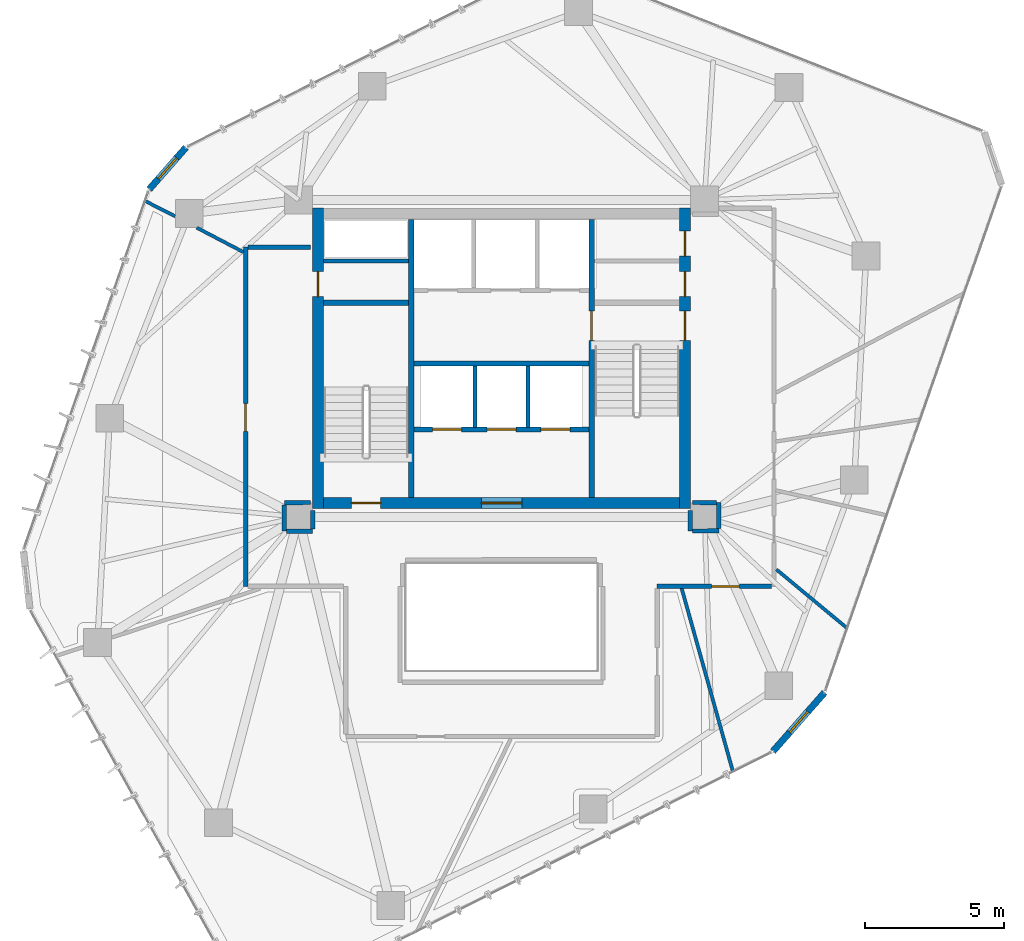
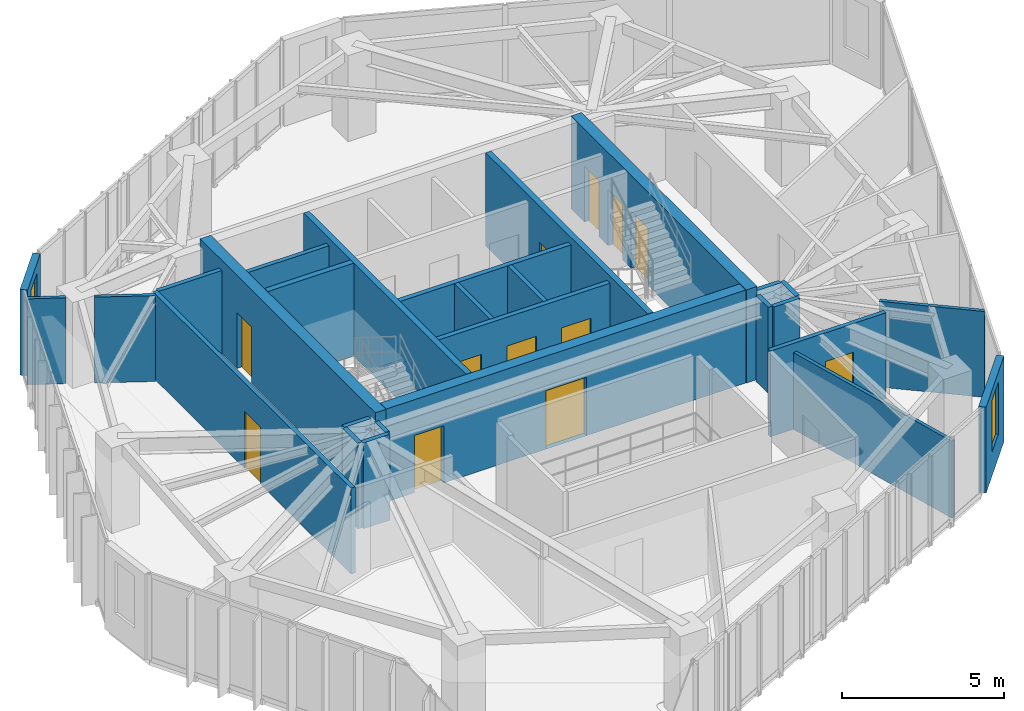
# One storey, part 16 of 20: 28 walls, 12 doors, 2 windows, 14 openings.
"""IFC4 building model written with IfcOpenShell, lengths in metres."""

from ifc_helpers import new_model, si_unit, direction, frame, frame_2d, origin, place, context, subcontext, project, spatial, rectangle, extrude, source, transform, mapped, material, layer, layer_set, type_object, type_shapes, element, fill, save


model = new_model("IFC4")

# Units and contexts
model_context = context("Model", 3, precision=1e-05, world=origin(), true_north=direction((0.0, 1.0)))
body_context = subcontext(model_context, "Body", "Model", "MODEL_VIEW")
ifc_project = project(units=[si_unit("LENGTHUNIT", "METRE"), si_unit("AREAUNIT", "SQUARE_METRE"), si_unit("VOLUMEUNIT", "CUBIC_METRE"), si_unit("PLANEANGLEUNIT", "RADIAN"), si_unit("MASSUNIT", "GRAM", prefix="KILO")], contexts=[model_context])

# Site, building, storey
site_placement = place(None, origin())
site = spatial("IfcSite", under=ifc_project, at=site_placement, CompositionType="ELEMENT")
building_placement = place(site_placement, origin())
building = spatial("IfcBuilding", under=site, at=building_placement, Name="Talar Marvaseh", CompositionType="ELEMENT")
storey_placement = place(building_placement, frame((0.0, 0.0, 170.5)))
storey = spatial("IfcBuildingStorey", under=building, at=storey_placement, Name="L44", CompositionType="ELEMENT", Elevation=170.5)

# Wall, opening, window
ifc_material_1 = material(Name="Precast concrete C45/55", Category="concrete")
ifc_layer_1 = layer(ifc_material_1, 0.239990234375)
ifc_layer_set_1 = layer_set([ifc_layer_1], Name="Precast concrete C45/55")
wall_type_1 = type_object("IfcWallType", Name="Chamfered Hexagonal Corner Pier Wall Z3 240", PredefinedType="SOLIDWALL", material=ifc_layer_set_1)
wall_1_placement = place(storey_placement, frame((13.328857421875, 37.2802734375, 0.0), z_axis=(0.0, 0.0, 1.0), x_axis=(0.659401563493, 0.751790913794, 0.0)))
wall_1 = element("IfcWall", 1, at=wall_1_placement, inside=storey, type_object=wall_type_1, Name="L44 Chamfered Corner Limestone Pier 3", PredefinedType="SOLIDWALL", context=body_context, shape_type="SweptSolid", body=[
    extrude(rectangle(XDim=2.0029296875, YDim=0.239990234375, at=frame_2d((1.00146484375, 0.0))), origin(), (0.0, 0.0, 1.0), 3.22998046875),
])
opening_1_placement = place(wall_1_placement, frame((0.501953125, 0.0, 0.89990234375)))
opening_1 = element("IfcOpeningElement", 2, at=opening_1_placement, cuts=wall_1, Name="Opening WN-CHM10", PredefinedType="OPENING", context=body_context, shape_type="SweptSolid", body=[
    extrude(rectangle(XDim=1.0, YDim=1.949951171875, at=frame_2d((0.5, 0.97509765625))), frame((0.0, 0.1298828125, 0.0), z_axis=(0.0, -1.0, 0.0), x_axis=(1.0, 0.0, 0.0)), (0.0, 0.0, 1.0), 0.260009765625),
])
ifc_material_2 = material(Name="Laminated Low-E Solar Glass", Category="glass")
window_type = type_object("IfcWindowType", Name="Zone 3 Chamfered Corner Slot Window 1000x1950", PartitioningType="SINGLE_PANEL", PredefinedType="WINDOW", material=ifc_material_2)
shared_shape_1 = source(origin(), body_context, "Body", "SweptSolid", [
    extrude(rectangle(XDim=1.0, YDim=1.949951171875, at=frame_2d((0.5, 0.97509765625))), frame((0.0, 0.030029296875, 0.0), z_axis=(0.0, -1.0, 0.0), x_axis=(1.0, 0.0, 0.0)), (0.0, 0.0, 1.0), 0.06005859375),
])
type_shapes(window_type, [shared_shape_1])
window_1_placement = place(opening_1_placement, origin())
window_1 = element("IfcWindow", 3, at=window_1_placement, inside=storey, type_object=window_type, Name="L44 Chamfered Corner Slot Window", OverallHeight=1.949951171875, OverallWidth=1.0, PartitioningType="SINGLE_PANEL", PredefinedType="WINDOW", context=body_context, shape_type="MappedRepresentation", body=[
    mapped(shared_shape_1, transform((0.0, 0.0, 0.0), x_axis=(1.0, 0.0, 0.0), y_axis=(0.0, 1.0, 0.0), z_axis=(0.0, 0.0, 1.0), scale=1.0)),
])
fill(opening_1, window_1)

wall_2_placement = place(storey_placement, frame((37.619384765625, 19.18212890625, 0.0), z_axis=(0.0, 0.0, 1.0), x_axis=(-0.659277871106, -0.751899387331, 0.0)))
wall_2 = element("IfcWall", 4, at=wall_2_placement, inside=storey, type_object=wall_type_1, Name="L44 Chamfered Corner Limestone Pier 6", PredefinedType="SOLIDWALL", context=body_context, shape_type="SweptSolid", body=[
    extrude(rectangle(XDim=2.815185546875, YDim=0.239990234375, at=frame_2d((1.40771484375, 0.0))), origin(), (0.0, 0.0, 1.0), 3.22998046875),
])
opening_2_placement = place(wall_2_placement, frame((0.907958984375, 0.0, 0.89990234375)))
opening_2 = element("IfcOpeningElement", 5, at=opening_2_placement, cuts=wall_2, Name="Opening WN-CHM10", PredefinedType="OPENING", context=body_context, shape_type="SweptSolid", body=[
    extrude(rectangle(XDim=1.0, YDim=1.949951171875, at=frame_2d((0.5, 0.97509765625))), frame((0.0, 0.1298828125, 0.0), z_axis=(0.0, -1.0, 0.0), x_axis=(1.0, 0.0, 0.0)), (0.0, 0.0, 1.0), 0.260009765625),
])
window_2_placement = place(opening_2_placement, origin())
window_2 = element("IfcWindow", 6, at=window_2_placement, inside=storey, type_object=window_type, Name="L44 Chamfered Corner Slot Window", OverallHeight=1.949951171875, OverallWidth=1.0, PartitioningType="SINGLE_PANEL", PredefinedType="WINDOW", context=body_context, shape_type="MappedRepresentation", body=[
    mapped(shared_shape_1, transform((0.0, 0.0, 0.0), x_axis=(1.0, 0.0, 0.0), y_axis=(0.0, 1.0, 0.0), z_axis=(0.0, 0.0, 1.0), scale=1.0)),
])
fill(opening_2, window_2)

# Wall
ifc_material_3 = material(Name="Gypsum Board Partition Assembly")
ifc_layer_2 = layer(ifc_material_3, 0.155029296875)
ifc_layer_set_2 = layer_set([ifc_layer_2], Name="Gypsum Board Partition Assembly")
wall_type_2 = type_object("IfcWallType", Name="Corridor Fire-Rated Acoustic Partition 155", PredefinedType="PARTITIONING", material=ifc_layer_set_2)
wall_3_placement = place(storey_placement, frame((19.60009765625, 34.699951171875, 0.0), z_axis=(0.0, 0.0, 1.0), x_axis=(1.0, 0.0, 0.0)))
element("IfcWall", 7, at=wall_3_placement, inside=storey, type_object=wall_type_2, Name="L44 Core BOH Partition", PredefinedType="PARTITIONING", context=body_context, shape_type="SweptSolid", body=[
    extrude(rectangle(XDim=3.059814453125, YDim=0.155029296875, at=frame_2d((1.52978515625, 0.0))), origin(), (0.0, 0.0, 1.0), 3.22998046875),
])

# Wall, opening, door
wall_4_placement = place(storey_placement, frame((16.800048828125, 23.0, 0.0), z_axis=(0.0, 0.0, 1.0), x_axis=(0.0, 1.0, 0.0)))
wall_4 = element("IfcWall", 8, at=wall_4_placement, inside=storey, type_object=wall_type_2, Name="L44 Interior Partition Wall", PredefinedType="PARTITIONING", context=body_context, shape_type="SweptSolid", body=[
    extrude(rectangle(XDim=12.199951171875, YDim=0.155029296875, at=frame_2d((6.10009765625, 0.0))), origin(), (0.0, 0.0, 1.0), 3.22998046875),
])
opening_3_placement = place(wall_4_placement, frame((5.5712890625, 0.0, 0.0)))
opening_3 = element("IfcOpeningElement", 9, at=opening_3_placement, cuts=wall_4, Name="Opening DR-RM100", PredefinedType="OPENING", context=body_context, shape_type="SweptSolid", body=[
    extrude(rectangle(XDim=1.0, YDim=2.14990234375, at=frame_2d((0.5, 1.074951171875))), frame((0.0, 0.08740234375, 0.0), z_axis=(0.0, -1.0, 0.0), x_axis=(1.0, 0.0, 0.0)), (0.0, 0.0, 1.0), 0.175048828125),
])
ifc_material_4 = material(Name="Acoustic Engineered Oak Timber", Category="wood")
door_type_1 = type_object("IfcDoorType", Name="Corridor Fire-Rated Gallery Door 1000x2150", OperationType="NOTDEFINED", PredefinedType="DOOR", material=ifc_material_4)
shared_shape_2 = source(origin(), body_context, "Body", "SweptSolid", [
    extrude(rectangle(XDim=1.0, YDim=2.14990234375, at=frame_2d((0.5, 1.074951171875))), frame((0.0, 0.02490234375, 0.0), z_axis=(0.0, -1.0, 0.0), x_axis=(1.0, 0.0, 0.0)), (0.0, 0.0, 1.0), 0.050048828125),
])
type_shapes(door_type_1, [shared_shape_2])
door_1_placement = place(opening_3_placement, origin())
door_1 = element("IfcDoor", 10, at=door_1_placement, inside=storey, type_object=door_type_1, Name="L44 Archival Facsimile Boutique Door", OperationType="SINGLE_SWING_RIGHT", OverallHeight=2.14990234375, OverallWidth=1.0, PredefinedType="DOOR", context=body_context, shape_type="MappedRepresentation", body=[
    mapped(shared_shape_2, transform((0.0, 0.0, 0.0), x_axis=(1.0, 0.0, 0.0), y_axis=(0.0, 1.0, 0.0), z_axis=(0.0, 0.0, 1.0), scale=1.0)),
])
fill(opening_3, door_1)

wall_5_placement = place(storey_placement, frame((35.716552734375, 23.0, 0.0), z_axis=(0.0, 0.0, 1.0), x_axis=(-1.0, 0.0, 0.0)))
wall_5 = element("IfcWall", 11, at=wall_5_placement, inside=storey, type_object=wall_type_2, Name="L44 Interior Partition Wall", PredefinedType="PARTITIONING", context=body_context, shape_type="SweptSolid", body=[
    extrude(rectangle(XDim=4.116455078125, YDim=0.155029296875, at=frame_2d((2.05810546875, 0.0))), origin(), (0.0, 0.0, 1.0), 3.22998046875),
])
opening_4_placement = place(wall_5_placement, frame((1.157470703125, 0.0, 0.0)))
opening_4 = element("IfcOpeningElement", 12, at=opening_4_placement, cuts=wall_5, Name="Opening DR-RM100", PredefinedType="OPENING", context=body_context, shape_type="SweptSolid", body=[
    extrude(rectangle(XDim=1.0, YDim=2.14990234375, at=frame_2d((0.5, 1.074951171875))), frame((0.0, 0.08740234375, 0.0), z_axis=(0.0, -1.0, 0.0), x_axis=(1.0, 0.0, 0.0)), (0.0, 0.0, 1.0), 0.175048828125),
])
door_2_placement = place(opening_4_placement, origin())
door_2 = element("IfcDoor", 13, at=door_2_placement, inside=storey, type_object=door_type_1, Name="L44 Colloquium Boardroom Door", OperationType="SINGLE_SWING_LEFT", OverallHeight=2.14990234375, OverallWidth=1.0, PredefinedType="DOOR", context=body_context, shape_type="MappedRepresentation", body=[
    mapped(shared_shape_2, transform((0.0, 0.0, 0.0), x_axis=(1.0, 0.0, 0.0), y_axis=(0.0, 1.0, 0.0), z_axis=(0.0, 0.0, 1.0), scale=1.0)),
])
fill(opening_4, door_2)

# Walls
wall_6_placement = place(storey_placement, frame((16.883544921875, 35.199951171875, 0.0), z_axis=(0.0, 0.0, 1.0), x_axis=(1.0, 0.0, 0.0)))
element("IfcWall", 14, at=wall_6_placement, inside=storey, type_object=wall_type_2, Name="L44 Interior Partition Wall", PredefinedType="PARTITIONING", context=body_context, shape_type="SweptSolid", body=[
    extrude(rectangle(XDim=2.246337890625, YDim=0.155029296875, at=frame_2d((1.123046875, 0.0))), origin(), (0.0, 0.0, 1.0), 3.22998046875),
])
wall_7_placement = place(storey_placement, frame((19.1298828125, 26.0146484375, 0.0), z_axis=(0.0, 0.0, 1.0), x_axis=(-0.99999026157, -0.004413248818, 0.0)))
element("IfcWall", 15, at=wall_7_placement, inside=storey, type_object=wall_type_2, Name="L44 Interior Partition Wall", PredefinedType="PARTITIONING", context=body_context, shape_type="SweptSolid", body=[
    extrude(rectangle(XDim=0.9404296875, YDim=0.155029296875, at=frame_2d((0.47021484375, 0.0))), origin(), (0.0, 0.0, 1.0), 3.22998046875),
])
wall_8_placement = place(storey_placement, frame((18.189697265625, 25.927001953125, 0.0), z_axis=(0.0, 0.0, 1.0), x_axis=(0.002078997586, -0.999997838882, 0.0)))
element("IfcWall", 16, at=wall_8_placement, inside=storey, type_object=wall_type_2, Name="L44 Interior Partition Wall", PredefinedType="PARTITIONING", context=body_context, shape_type="SweptSolid", body=[
    extrude(rectangle(XDim=0.939453125, YDim=0.155029296875, at=frame_2d((0.4697265625, 0.0))), origin(), (0.0, 0.0, 1.0), 3.22998046875),
])
wall_9_placement = place(storey_placement, frame((18.275146484375, 24.987548828125, 0.0), z_axis=(0.0, 0.0, 1.0), x_axis=(0.999999692748, 0.0007839036, 0.0)))
element("IfcWall", 17, at=wall_9_placement, inside=storey, type_object=wall_type_2, Name="L44 Interior Partition Wall", PredefinedType="PARTITIONING", context=body_context, shape_type="SweptSolid", body=[
    extrude(rectangle(XDim=0.934326171875, YDim=0.155029296875, at=frame_2d((0.46728515625, 0.0))), origin(), (0.0, 0.0, 1.0), 3.22998046875),
])
wall_10_placement = place(storey_placement, frame((19.210205078125, 25.072021484375, 0.0), z_axis=(0.0, 0.0, 1.0), x_axis=(0.007420945932, 0.999972464402, 0.0)))
element("IfcWall", 18, at=wall_10_placement, inside=storey, type_object=wall_type_2, Name="L44 Interior Partition Wall", PredefinedType="PARTITIONING", context=body_context, shape_type="SweptSolid", body=[
    extrude(rectangle(XDim=0.657958984375, YDim=0.155029296875, at=frame_2d((0.3291015625, 0.0))), origin(), (0.0, 0.0, 1.0), 3.22998046875),
])
wall_11_placement = place(storey_placement, frame((32.784912109375, 25.72998046875, 0.0), z_axis=(0.0, 0.0, 1.0), x_axis=(0.007570553288, -0.999971342951, 0.0)))
element("IfcWall", 19, at=wall_11_placement, inside=storey, type_object=wall_type_2, Name="L44 Interior Partition Wall", PredefinedType="PARTITIONING", context=body_context, shape_type="SweptSolid", body=[
    extrude(rectangle(XDim=0.74169921875, YDim=0.155029296875, at=frame_2d((0.370849609375, 0.0))), origin(), (0.0, 0.0, 1.0), 3.22998046875),
])
wall_12_placement = place(storey_placement, frame((32.8740234375, 24.9892578125, 0.0), z_axis=(0.0, 0.0, 1.0), x_axis=(0.999934835738, 0.01141596595, 0.0)))
element("IfcWall", 20, at=wall_12_placement, inside=storey, type_object=wall_type_2, Name="L44 Interior Partition Wall", PredefinedType="PARTITIONING", context=body_context, shape_type="SweptSolid", body=[
    extrude(rectangle(XDim=0.94091796875, YDim=0.155029296875, at=frame_2d((0.470458984375, 0.0))), origin(), (0.0, 0.0, 1.0), 3.22998046875),
])
wall_13_placement = place(storey_placement, frame((33.814697265625, 25.08349609375, 0.0), z_axis=(0.0, 0.0, 1.0), x_axis=(-0.004477173984, 0.999989977406, 0.0)))
element("IfcWall", 21, at=wall_13_placement, inside=storey, type_object=wall_type_2, Name="L44 Interior Partition Wall", PredefinedType="PARTITIONING", context=body_context, shape_type="SweptSolid", body=[
    extrude(rectangle(XDim=0.927001953125, YDim=0.155029296875, at=frame_2d((0.46337890625, 0.0))), origin(), (0.0, 0.0, 1.0), 3.22998046875),
])
wall_14_placement = place(storey_placement, frame((33.72705078125, 26.010986328125, 0.0), z_axis=(0.0, 0.0, 1.0), x_axis=(-0.999990868706, 0.004273465251, 0.0)))
element("IfcWall", 22, at=wall_14_placement, inside=storey, type_object=wall_type_2, Name="L44 Interior Partition Wall", PredefinedType="PARTITIONING", context=body_context, shape_type="SweptSolid", body=[
    extrude(rectangle(XDim=0.85693359375, YDim=0.155029296875, at=frame_2d((0.428466796875, 0.0))), origin(), (0.0, 0.0, 1.0), 3.22998046875),
])
ifc_layer_3 = layer(ifc_material_3, 0.1201171875)
ifc_layer_set_3 = layer_set([ifc_layer_3], Name="Gypsum Board Partition Assembly")
wall_type_3 = type_object("IfcWallType", Name="Demountable Studio Room Partition 120", PredefinedType="PARTITIONING", material=ifc_layer_set_3)
wall_15_placement = place(storey_placement, frame((32.4775390625, 22.9375, 0.0), z_axis=(0.0, 0.0, 1.0), x_axis=(0.269411180915, -0.963025241413, 0.0)))
element("IfcWall", 23, at=wall_15_placement, inside=storey, type_object=wall_type_3, Name="L44 Interior Partition Wall", PredefinedType="PARTITIONING", context=body_context, shape_type="SweptSolid", body=[
    extrude(rectangle(XDim=6.8310546875, YDim=0.1201171875, at=frame_2d((3.41552734375, 0.0))), origin(), (0.0, 0.0, 1.0), 2.89208984375),
])
wall_16_placement = place(storey_placement, frame((35.883544921875, 23.610595703125, 0.0), z_axis=(0.0, 0.0, 1.0), x_axis=(0.769504226885, -0.638641718655, 0.0)))
element("IfcWall", 24, at=wall_16_placement, inside=storey, type_object=wall_type_3, Name="L44 Interior Partition Wall", PredefinedType="PARTITIONING", context=body_context, shape_type="SweptSolid", body=[
    extrude(rectangle(XDim=3.287353515625, YDim=0.1201171875, at=frame_2d((1.6435546875, 0.0))), origin(), (0.0, 0.0, 1.0), 3.22998046875),
])
wall_17_placement = place(storey_placement, frame((16.716552734375, 35.023681640625, 0.0), z_axis=(0.0, 0.0, 1.0), x_axis=(-0.886255547382, 0.463196615633, 0.0)))
element("IfcWall", 25, at=wall_17_placement, inside=storey, type_object=wall_type_3, Name="L44 Interior Partition Wall", PredefinedType="PARTITIONING", context=body_context, shape_type="SweptSolid", body=[
    extrude(rectangle(XDim=1.8916015625, YDim=0.1201171875, at=frame_2d((0.94580078125, 0.0))), origin(), (0.0, 0.0, 1.0), 3.22998046875),
])
wall_18_placement = place(storey_placement, frame((14.260009765625, 36.31005859375, 0.0), z_axis=(0.0, 0.0, 1.0), x_axis=(-0.890408796541, 0.455161702082, 0.0)))
element("IfcWall", 26, at=wall_18_placement, inside=storey, type_object=wall_type_3, Name="L44 Interior Partition Wall", PredefinedType="PARTITIONING", context=body_context, shape_type="SweptSolid", body=[
    extrude(rectangle(XDim=1.189208984375, YDim=0.1201171875, at=frame_2d((0.5947265625, 0.0))), origin(), (0.0, 0.0, 1.0), 3.22998046875),
])
ifc_layer_4 = layer(ifc_material_1, 0.14501953125)
ifc_layer_set_4 = layer_set([ifc_layer_4], Name="Precast concrete C45/55")
wall_type_4 = type_object("IfcWallType", Name="Fire-Rated Lift Divider Wall 145", PredefinedType="SOLIDWALL", material=ifc_layer_set_4)
for number, where, z_axis, x_axis, name in (
    (27, (25.050048828125, 28.719970703125, 0.0), (0.0, 0.0, 1.0), (0.0, 1.0, 0.0), "L44 PL-H1/PL-H2 Divider"),
    (28, (26.949951171875, 28.719970703125, 0.0), (0.0, 0.0, 1.0), (0.0, 1.0, 0.0), "L44 PL-H2/PL-H3 Divider"),
):
    element("IfcWall", number, at=place(storey_placement, frame(where, z_axis=z_axis, x_axis=x_axis)), inside=storey, type_object=wall_type_4, Name=name, PredefinedType="SOLIDWALL", context=body_context, shape_type="SweptSolid", body=[
        extrude(rectangle(XDim=2.20654296875, YDim=0.14501953125, at=frame_2d((1.103271484375, 0.0))), origin(), (0.0, 0.0, 1.0), 3.22998046875),
    ])
ifc_layer_5 = layer(ifc_material_1, 0.175048828125)
ifc_layer_set_5 = layer_set([ifc_layer_5], Name="Precast concrete C45/55")
wall_type_5 = type_object("IfcWallType", Name="Fire-Rated Lift Hoistway Enclosure Wall 175", PredefinedType="SOLIDWALL", material=ifc_layer_set_5)
wall_19_placement = place(storey_placement, frame((22.860107421875, 31.02001953125, 0.0), z_axis=(0.0, 0.0, 1.0), x_axis=(1.0, 0.0, 0.0)))
element("IfcWall", 29, at=wall_19_placement, inside=storey, type_object=wall_type_5, Name="L44 Firefighting Lobby South Smoke Wall", PredefinedType="SOLIDWALL", context=body_context, shape_type="SweptSolid", body=[
    extrude(rectangle(XDim=6.27978515625, YDim=0.175048828125, at=frame_2d((3.139892578125, 0.0))), origin(), (0.0, 0.0, 1.0), 3.22998046875),
])

# Wall, openings, doors
wall_20_placement = place(storey_placement, frame((22.860107421875, 28.639892578125, 0.0), z_axis=(0.0, 0.0, 1.0), x_axis=(1.0, 0.0, 0.0)))
wall_20 = element("IfcWall", 30, at=wall_20_placement, inside=storey, type_object=wall_type_5, Name="L44 High-Rise Lift Bank Front Wall", PredefinedType="SOLIDWALL", context=body_context, shape_type="SweptSolid", body=[
    extrude(rectangle(XDim=6.27978515625, YDim=0.175048828125, at=frame_2d((3.139892578125, 0.0))), origin(), (0.0, 0.0, 1.0), 3.22998046875),
])
opening_5_placement = place(wall_20_placement, frame((0.659912109375, 0.0, 0.0)))
opening_5 = element("IfcOpeningElement", 31, at=opening_5_placement, cuts=wall_20, Name="Opening LD-PLH1", PredefinedType="OPENING", context=body_context, shape_type="SweptSolid", body=[
    extrude(rectangle(XDim=1.050048828125, YDim=2.14990234375, at=frame_2d((0.52490234375, 1.074951171875))), frame((0.0, 0.09765625, 0.0), z_axis=(0.0, -1.0, 0.0), x_axis=(1.0, 0.0, 0.0)), (0.0, 0.0, 1.0), 0.195068359375),
])
opening_6_placement = place(wall_20_placement, frame((2.6201171875, 0.0, 0.0)))
opening_6 = element("IfcOpeningElement", 32, at=opening_6_placement, cuts=wall_20, Name="Opening LD-PLH2", PredefinedType="OPENING", context=body_context, shape_type="SweptSolid", body=[
    extrude(rectangle(XDim=1.050048828125, YDim=2.14990234375, at=frame_2d((0.52490234375, 1.074951171875))), frame((0.0, 0.09765625, 0.0), z_axis=(0.0, -1.0, 0.0), x_axis=(1.0, 0.0, 0.0)), (0.0, 0.0, 1.0), 0.195068359375),
])
opening_7_placement = place(wall_20_placement, frame((4.56005859375, 0.0, 0.0)))
opening_7 = element("IfcOpeningElement", 33, at=opening_7_placement, cuts=wall_20, Name="Opening LD-PLH3", PredefinedType="OPENING", context=body_context, shape_type="SweptSolid", body=[
    extrude(rectangle(XDim=1.050048828125, YDim=2.14990234375, at=frame_2d((0.52490234375, 1.074951171875))), frame((0.0, 0.09765625, 0.0), z_axis=(0.0, -1.0, 0.0), x_axis=(1.0, 0.0, 0.0)), (0.0, 0.0, 1.0), 0.195068359375),
])
ifc_material_5 = material(Name="Stainless Steel Grade 316", Category="steel")
door_type_2 = type_object("IfcDoorType", Name="Automatic Sliding Lift Landing Door 1050x2150", OperationType="NOTDEFINED", PredefinedType="DOOR", material=ifc_material_5)
shared_shape_3 = source(origin(), body_context, "Body", "SweptSolid", [
    extrude(rectangle(XDim=1.050048828125, YDim=2.14990234375, at=frame_2d((0.52490234375, 1.074951171875))), frame((0.0, 0.02490234375, 0.0), z_axis=(0.0, -1.0, 0.0), x_axis=(1.0, 0.0, 0.0)), (0.0, 0.0, 1.0), 0.050048828125),
])
type_shapes(door_type_2, [shared_shape_3])
door_3_placement = place(opening_5_placement, origin())
door_3 = element("IfcDoor", 34, at=door_3_placement, inside=storey, type_object=door_type_2, Name="L44 Lift PL-H1 Sliding Landing Door", OperationType="SLIDING_TO_LEFT", OverallHeight=2.14990234375, OverallWidth=1.050048828125, PredefinedType="DOOR", context=body_context, shape_type="MappedRepresentation", body=[
    mapped(shared_shape_3, transform((0.0, 0.0, 0.0), x_axis=(1.0, 0.0, 0.0), y_axis=(0.0, 1.0, 0.0), z_axis=(0.0, 0.0, 1.0), scale=1.0)),
])
fill(opening_5, door_3)
door_4_placement = place(opening_6_placement, origin())
door_4 = element("IfcDoor", 35, at=door_4_placement, inside=storey, type_object=door_type_2, Name="L44 Lift PL-H2 Sliding Landing Door", OperationType="SLIDING_TO_LEFT", OverallHeight=2.14990234375, OverallWidth=1.050048828125, PredefinedType="DOOR", context=body_context, shape_type="MappedRepresentation", body=[
    mapped(shared_shape_3, transform((0.0, 0.0, 0.0), x_axis=(1.0, 0.0, 0.0), y_axis=(0.0, 1.0, 0.0), z_axis=(0.0, 0.0, 1.0), scale=1.0)),
])
fill(opening_6, door_4)
door_5_placement = place(opening_7_placement, origin())
door_5 = element("IfcDoor", 36, at=door_5_placement, inside=storey, type_object=door_type_2, Name="L44 Lift PL-H3 Sliding Landing Door", OperationType="SLIDING_TO_LEFT", OverallHeight=2.14990234375, OverallWidth=1.050048828125, PredefinedType="DOOR", context=body_context, shape_type="MappedRepresentation", body=[
    mapped(shared_shape_3, transform((0.0, 0.0, 0.0), x_axis=(1.0, 0.0, 0.0), y_axis=(0.0, 1.0, 0.0), z_axis=(0.0, 0.0, 1.0), scale=1.0)),
])
fill(opening_7, door_5)

# Wall, opening, door
ifc_material_6 = material(Name="Concrete C60/75", Category="concrete")
ifc_layer_6 = layer(ifc_material_6, 0.3798828125)
ifc_layer_set_6 = layer_set([ifc_layer_6], Name="Concrete C60/75")
wall_type_6 = type_object("IfcWallType", Name="Mid Core Reinforced Concrete Shear Wall 380", PredefinedType="SHEAR", material=ifc_layer_set_6)
wall_21_placement = place(storey_placement, frame((19.39990234375, 25.800048828125, 0.0), z_axis=(0.0, 0.0, 1.0), x_axis=(0.0, 1.0, 0.0)))
wall_21 = element("IfcWall", 37, at=wall_21_placement, inside=storey, type_object=wall_type_6, Name="L44 West Core Shear Wall", PredefinedType="SHEAR", context=body_context, shape_type="SweptSolid", body=[
    extrude(rectangle(XDim=10.800048828125, YDim=0.3798828125, at=frame_2d((5.39990234375, 0.0))), origin(), (0.0, 0.0, 1.0), 3.5),
])
opening_8_placement = place(wall_21_placement, frame((7.6201171875, 0.0, 0.0)))
opening_8 = element("IfcOpeningElement", 38, at=opening_8_placement, cuts=wall_21, Name="Opening DR-BOH090", PredefinedType="OPENING", context=body_context, shape_type="SweptSolid", body=[
    extrude(rectangle(XDim=0.89990234375, YDim=2.10009765625, at=frame_2d((0.449951171875, 1.050048828125))), frame((0.0, 0.199951171875, 0.0), z_axis=(0.0, -1.0, 0.0), x_axis=(1.0, 0.0, 0.0)), (0.0, 0.0, 1.0), 0.39990234375),
])
ifc_material_7 = material(Name="Fire-Rated Steel Door Leaf", Category="steel")
door_type_3 = type_object("IfcDoorType", Name="Core Back-of-House Service Door 900x2100", OperationType="NOTDEFINED", PredefinedType="DOOR", material=ifc_material_7)
shared_shape_4 = source(origin(), body_context, "Body", "SweptSolid", [
    extrude(rectangle(XDim=0.89990234375, YDim=2.10009765625, at=frame_2d((0.449951171875, 1.050048828125))), frame((0.0, 0.02490234375, 0.0), z_axis=(0.0, -1.0, 0.0), x_axis=(1.0, 0.0, 0.0)), (0.0, 0.0, 1.0), 0.050048828125),
])
type_shapes(door_type_3, [shared_shape_4])
door_6_placement = place(opening_8_placement, origin())
door_6 = element("IfcDoor", 39, at=door_6_placement, inside=storey, type_object=door_type_3, Name="L44 Cleaner Core West Closet Door", OperationType="SINGLE_SWING_LEFT", OverallHeight=2.10009765625, OverallWidth=0.89990234375, PredefinedType="DOOR", context=body_context, shape_type="MappedRepresentation", body=[
    mapped(shared_shape_4, transform((0.0, 0.0, 0.0), x_axis=(1.0, 0.0, 0.0), y_axis=(0.0, 1.0, 0.0), z_axis=(0.0, 0.0, 1.0), scale=1.0)),
])
fill(opening_8, door_6)

# Wall, openings, doors
wall_22_placement = place(storey_placement, frame((32.60009765625, 36.60009765625, 0.0), z_axis=(0.0, 0.0, 1.0), x_axis=(0.0, -1.0, 0.0)))
wall_22 = element("IfcWall", 40, at=wall_22_placement, inside=storey, type_object=wall_type_6, Name="L44 East Core Shear Wall", PredefinedType="SHEAR", context=body_context, shape_type="SweptSolid", body=[
    extrude(rectangle(XDim=10.800048828125, YDim=0.3798828125, at=frame_2d((5.39990234375, 0.0))), origin(), (0.0, 0.0, 1.0), 3.5),
])
opening_9_placement = place(wall_22_placement, frame((3.699951171875, 0.0, 0.0)))
opening_9 = element("IfcOpeningElement", 41, at=opening_9_placement, cuts=wall_22, Name="Opening DR-ST105", PredefinedType="OPENING", context=body_context, shape_type="SweptSolid", body=[
    extrude(rectangle(XDim=1.050048828125, YDim=2.14990234375, at=frame_2d((0.52490234375, 1.074951171875))), frame((0.0, 0.199951171875, 0.0), z_axis=(0.0, -1.0, 0.0), x_axis=(1.0, 0.0, 0.0)), (0.0, 0.0, 1.0), 0.39990234375),
])
opening_10_placement = place(wall_22_placement, frame((2.280029296875, 0.0, 0.0)))
opening_10 = element("IfcOpeningElement", 42, at=opening_10_placement, cuts=wall_22, Name="Opening DR-BOH090", PredefinedType="OPENING", context=body_context, shape_type="SweptSolid", body=[
    extrude(rectangle(XDim=0.89990234375, YDim=2.10009765625, at=frame_2d((0.449951171875, 1.050048828125))), frame((0.0, 0.199951171875, 0.0), z_axis=(0.0, -1.0, 0.0), x_axis=(1.0, 0.0, 0.0)), (0.0, 0.0, 1.0), 0.39990234375),
])
opening_11_placement = place(wall_22_placement, frame((0.820068359375, 0.0, 0.0)))
opening_11 = element("IfcOpeningElement", 43, at=opening_11_placement, cuts=wall_22, Name="Opening DR-BOH090", PredefinedType="OPENING", context=body_context, shape_type="SweptSolid", body=[
    extrude(rectangle(XDim=0.89990234375, YDim=2.10009765625, at=frame_2d((0.449951171875, 1.050048828125))), frame((0.0, 0.199951171875, 0.0), z_axis=(0.0, -1.0, 0.0), x_axis=(1.0, 0.0, 0.0)), (0.0, 0.0, 1.0), 0.39990234375),
])
door_type_4 = type_object("IfcDoorType", Name="Protected Exit Stair Fire Door 1050x2150", OperationType="NOTDEFINED", PredefinedType="DOOR", material=ifc_material_7)
shared_shape_5 = source(origin(), body_context, "Body", "SweptSolid", [
    extrude(rectangle(XDim=1.050048828125, YDim=2.14990234375, at=frame_2d((0.52490234375, 1.074951171875))), frame((0.0, 0.02490234375, 0.0), z_axis=(0.0, -1.0, 0.0), x_axis=(1.0, 0.0, 0.0)), (0.0, 0.0, 1.0), 0.050048828125),
])
type_shapes(door_type_4, [shared_shape_5])
door_7_placement = place(opening_9_placement, origin())
door_7 = element("IfcDoor", 44, at=door_7_placement, inside=storey, type_object=door_type_4, Name="L44 Stair ST-2 Corridor Exit Door", OperationType="SINGLE_SWING_LEFT", OverallHeight=2.14990234375, OverallWidth=1.050048828125, PredefinedType="DOOR", context=body_context, shape_type="MappedRepresentation", body=[
    mapped(shared_shape_5, transform((0.0, 0.0, 0.0), x_axis=(1.0, 0.0, 0.0), y_axis=(0.0, 1.0, 0.0), z_axis=(0.0, 0.0, 1.0), scale=1.0)),
])
fill(opening_9, door_7)
door_8_placement = place(opening_10_placement, origin())
door_8 = element("IfcDoor", 45, at=door_8_placement, inside=storey, type_object=door_type_3, Name="L44 Cleaner Core East Closet Door", OperationType="SINGLE_SWING_LEFT", OverallHeight=2.10009765625, OverallWidth=0.89990234375, PredefinedType="DOOR", context=body_context, shape_type="MappedRepresentation", body=[
    mapped(shared_shape_4, transform((0.0, 0.0, 0.0), x_axis=(1.0, 0.0, 0.0), y_axis=(0.0, 1.0, 0.0), z_axis=(0.0, 0.0, 1.0), scale=1.0)),
])
fill(opening_10, door_8)
door_9_placement = place(opening_11_placement, origin())
door_9 = element("IfcDoor", 46, at=door_9_placement, inside=storey, type_object=door_type_3, Name="L44 Store Core Supplies Room Door", OperationType="SINGLE_SWING_RIGHT", OverallHeight=2.10009765625, OverallWidth=0.89990234375, PredefinedType="DOOR", context=body_context, shape_type="MappedRepresentation", body=[
    mapped(shared_shape_4, transform((0.0, 0.0, 0.0), x_axis=(1.0, 0.0, 0.0), y_axis=(0.0, 1.0, 0.0), z_axis=(0.0, 0.0, 1.0), scale=1.0)),
])
fill(opening_11, door_9)

wall_23_placement = place(storey_placement, frame((32.39990234375, 26.0, 0.0), z_axis=(0.0, 0.0, 1.0), x_axis=(-1.0, 0.0, 0.0)))
wall_23 = element("IfcWall", 47, at=wall_23_placement, inside=storey, type_object=wall_type_6, Name="L44 South Core Shear Wall", PredefinedType="SHEAR", context=body_context, shape_type="SweptSolid", body=[
    extrude(rectangle(XDim=12.7998046875, YDim=0.3798828125, at=frame_2d((6.39990234375, 0.0))), origin(), (0.0, 0.0, 1.0), 3.5),
])
opening_12_placement = place(wall_23_placement, frame((10.75, 0.0, 0.0)))
opening_12 = element("IfcOpeningElement", 48, at=opening_12_placement, cuts=wall_23, Name="Opening DR-ST105", PredefinedType="OPENING", context=body_context, shape_type="SweptSolid", body=[
    extrude(rectangle(XDim=1.050048828125, YDim=2.14990234375, at=frame_2d((0.52490234375, 1.074951171875))), frame((0.0, 0.199951171875, 0.0), z_axis=(0.0, -1.0, 0.0), x_axis=(1.0, 0.0, 0.0)), (0.0, 0.0, 1.0), 0.39990234375),
])
opening_13_placement = place(wall_23_placement, frame((5.669921875, 0.0, 0.0)))
opening_13 = element("IfcOpeningElement", 49, at=opening_13_placement, cuts=wall_23, Name="Opening DR-LBY145", PredefinedType="OPENING", context=body_context, shape_type="SweptSolid", body=[
    extrude(rectangle(XDim=1.449951171875, YDim=2.199951171875, at=frame_2d((0.72509765625, 1.10009765625))), frame((0.0, 0.199951171875, 0.0), z_axis=(0.0, -1.0, 0.0), x_axis=(1.0, 0.0, 0.0)), (0.0, 0.0, 1.0), 0.39990234375),
])
door_10_placement = place(opening_12_placement, origin())
door_10 = element("IfcDoor", 50, at=door_10_placement, inside=storey, type_object=door_type_4, Name="L44 Stair ST-1 Exit Door", OperationType="SINGLE_SWING_RIGHT", OverallHeight=2.14990234375, OverallWidth=1.050048828125, PredefinedType="DOOR", context=body_context, shape_type="MappedRepresentation", body=[
    mapped(shared_shape_5, transform((0.0, 0.0, 0.0), x_axis=(1.0, 0.0, 0.0), y_axis=(0.0, 1.0, 0.0), z_axis=(0.0, 0.0, 1.0), scale=1.0)),
])
fill(opening_12, door_10)
door_type_5 = type_object("IfcDoorType", Name="Core Lift Lobby Double Smoke Door 1450x2200", OperationType="NOTDEFINED", PredefinedType="DOOR", material=ifc_material_7)
shared_shape_6 = source(origin(), body_context, "Body", "SweptSolid", [
    extrude(rectangle(XDim=1.449951171875, YDim=2.199951171875, at=frame_2d((0.72509765625, 1.10009765625))), frame((0.0, 0.02490234375, 0.0), z_axis=(0.0, -1.0, 0.0), x_axis=(1.0, 0.0, 0.0)), (0.0, 0.0, 1.0), 0.050048828125),
])
type_shapes(door_type_5, [shared_shape_6])
door_11_placement = place(opening_13_placement, origin())
door_11 = element("IfcDoor", 51, at=door_11_placement, inside=storey, type_object=door_type_5, Name="L44 Passenger Lift Lobby Entrance Door", OperationType="DOUBLE_DOOR_SINGLE_SWING", OverallHeight=2.199951171875, OverallWidth=1.449951171875, PredefinedType="DOOR", context=body_context, shape_type="MappedRepresentation", body=[
    mapped(shared_shape_6, transform((0.0, 0.0, 0.0), x_axis=(1.0, 0.0, 0.0), y_axis=(0.0, 1.0, 0.0), z_axis=(0.0, 0.0, 1.0), scale=1.0)),
])
fill(opening_13, door_11)

# Wall
ifc_material_8 = material(Name="Concrete C50/60", Category="concrete")
ifc_layer_7 = layer(ifc_material_8, 0.199951171875)
ifc_layer_set_7 = layer_set([ifc_layer_7], Name="Concrete C50/60")
wall_type_7 = type_object("IfcWallType", Name="Stair Shaft Structural Concrete Shear Wall 200", PredefinedType="SHEAR", material=ifc_layer_set_7)
wall_24_placement = place(storey_placement, frame((22.760009765625, 26.199951171875, 0.0), z_axis=(0.0, 0.0, 1.0), x_axis=(0.0, 1.0, 0.0)))
element("IfcWall", 52, at=wall_24_placement, inside=storey, type_object=wall_type_7, Name="L44 Core West Stair Shear Wall", PredefinedType="SHEAR", context=body_context, shape_type="SweptSolid", body=[
    extrude(rectangle(XDim=10.0, YDim=0.199951171875, at=frame_2d((5.0, 0.0))), origin(), (0.0, 0.0, 1.0), 3.5),
])

# Wall, opening, door
wall_25_placement = place(storey_placement, frame((29.239990234375, 26.199951171875, 0.0), z_axis=(0.0, 0.0, 1.0), x_axis=(0.0, 1.0, 0.0)))
wall_25 = element("IfcWall", 53, at=wall_25_placement, inside=storey, type_object=wall_type_7, Name="L44 Core East Stair Shear Wall", PredefinedType="SHEAR", context=body_context, shape_type="SweptSolid", body=[
    extrude(rectangle(XDim=10.0, YDim=0.199951171875, at=frame_2d((5.0, 0.0))), origin(), (0.0, 0.0, 1.0), 3.5),
])
opening_14_placement = place(wall_25_placement, frame((5.64990234375, 0.0, 0.0)))
opening_14 = element("IfcOpeningElement", 54, at=opening_14_placement, cuts=wall_25, Name="Opening DR-ST105", PredefinedType="OPENING", context=body_context, shape_type="SweptSolid", body=[
    extrude(rectangle(XDim=1.050048828125, YDim=2.14990234375, at=frame_2d((0.52490234375, 1.074951171875))), frame((0.0, 0.10986328125, 0.0), z_axis=(0.0, -1.0, 0.0), x_axis=(1.0, 0.0, 0.0)), (0.0, 0.0, 1.0), 0.219970703125),
])
door_12_placement = place(opening_14_placement, origin())
door_12 = element("IfcDoor", 55, at=door_12_placement, inside=storey, type_object=door_type_4, Name="L44 Firefighting Lobby to Stair ST-2 Door", OperationType="SINGLE_SWING_LEFT", OverallHeight=2.14990234375, OverallWidth=1.050048828125, PredefinedType="DOOR", context=body_context, shape_type="MappedRepresentation", body=[
    mapped(shared_shape_5, transform((0.0, 0.0, 0.0), x_axis=(1.0, 0.0, 0.0), y_axis=(0.0, 1.0, 0.0), z_axis=(0.0, 0.0, 1.0), scale=1.0)),
])
fill(opening_14, door_12)

# Wall
wall_26_placement = place(storey_placement, frame((19.60009765625, 33.199951171875, 0.0), z_axis=(0.0, 0.0, 1.0), x_axis=(1.0, 0.0, 0.0)))
element("IfcWall", 56, at=wall_26_placement, inside=storey, type_object=wall_type_7, Name="L44 Stair ST-1 North Shear Wall", PredefinedType="SHEAR", context=body_context, shape_type="SweptSolid", body=[
    extrude(rectangle(XDim=3.059814453125, YDim=0.199951171875, at=frame_2d((1.52978515625, 0.0))), origin(), (0.0, 0.0, 1.0), 3.5),
])

save(model, "model.ifc")
